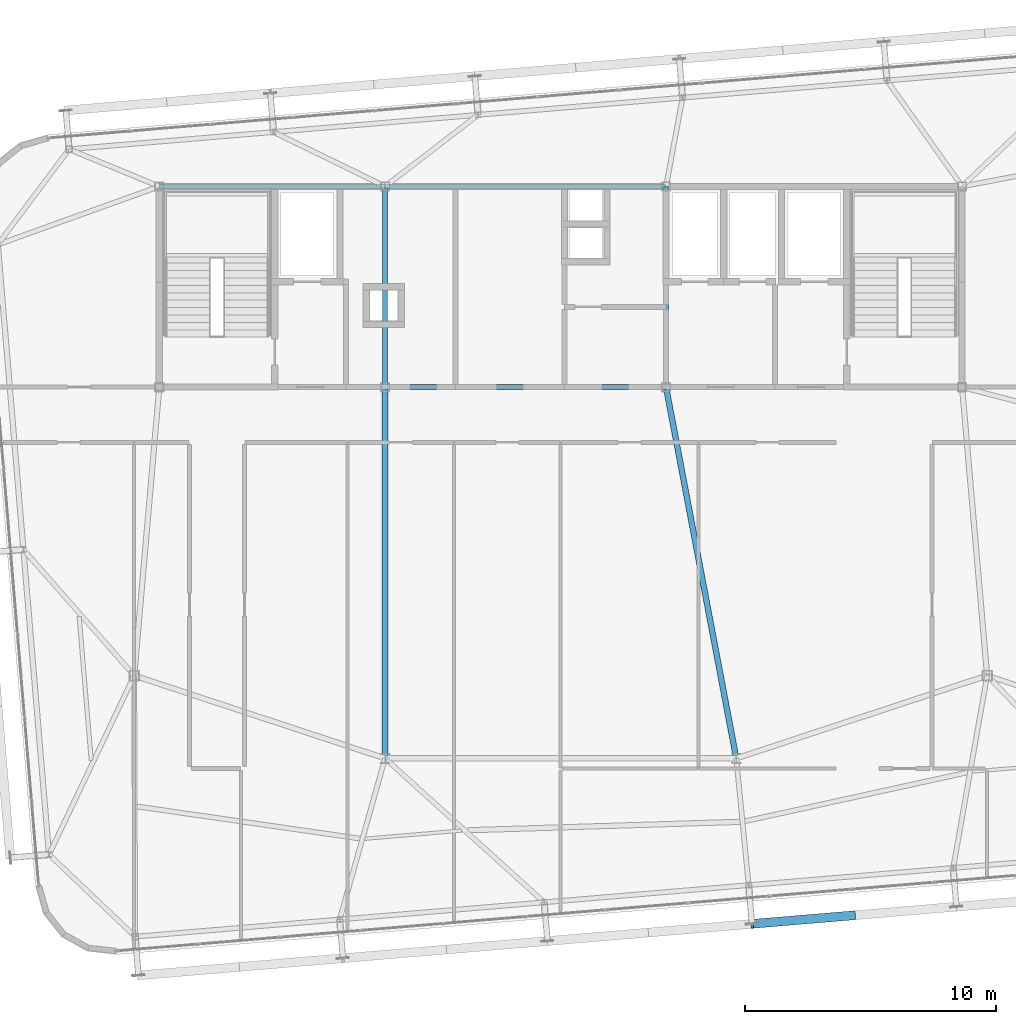
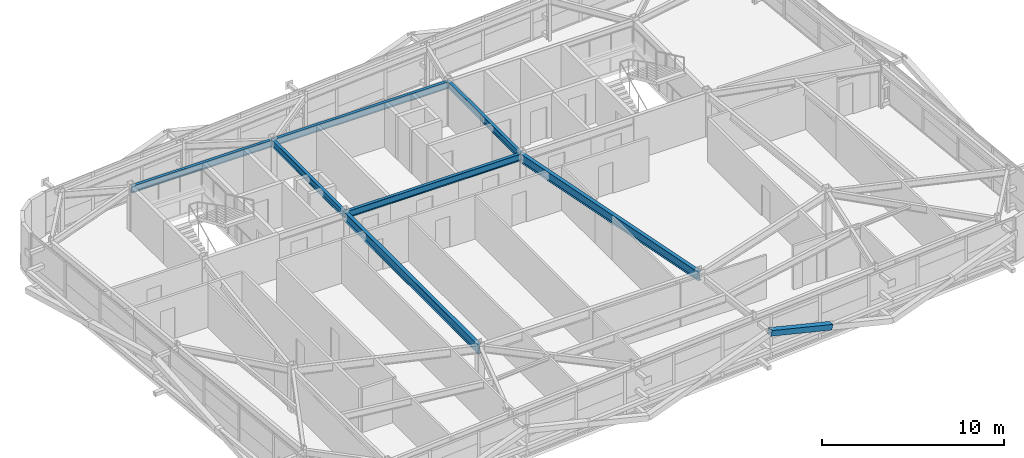
# One storey, part 18 of 44: 7 beams, 1 member.
"""IFC4 building model written with IfcOpenShell, lengths in metres."""

from ifc_helpers import new_model, si_unit, direction, frame, origin, origin_2d, place, context, subcontext, project, spatial, hollow_rectangle, i_section, extrude, source, transform, mapped, material, material_profile, profile_set, type_object, element, save


model = new_model("IFC4")

# Units and contexts
model_context = context("Model", 3, precision=1e-05, world=origin(), true_north=direction((0.0, 1.0)))
body_context = subcontext(model_context, "Body", "Model", "MODEL_VIEW")
ifc_project = project(units=[si_unit("LENGTHUNIT", "METRE"), si_unit("AREAUNIT", "SQUARE_METRE"), si_unit("VOLUMEUNIT", "CUBIC_METRE"), si_unit("PLANEANGLEUNIT", "RADIAN"), si_unit("MASSUNIT", "GRAM", prefix="KILO")], contexts=[model_context])

# Site, building, storey
site_placement = place(None, origin())
site = spatial("IfcSite", under=ifc_project, at=site_placement, CompositionType="ELEMENT")
building_placement = place(site_placement, origin())
building = spatial("IfcBuilding", under=site, at=building_placement, Name="Taldren Reach Tower", CompositionType="ELEMENT")
storey_placement = place(building_placement, frame((0.0, 0.0, 191.449951171875)))
storey = spatial("IfcBuildingStorey", under=building, at=storey_placement, Name="L58", CompositionType="ELEMENT", Elevation=191.449951171875)

# Beams
ifc_material_1 = material(Name="Steel Gr 350 (350PLUS)", Category="steel")
ifc_material_profile_1 = material_profile(ifc_material_1, i_section(OverallWidth=0.19091796875, OverallDepth=0.4599609375, WebThickness=0.010009765625, FlangeThickness=0.01611328125, at=origin_2d()), Name="460UB82.1")
ifc_profile_set_1 = profile_set([ifc_material_profile_1], Name="Steel Gr 350 (350PLUS)")
beam_type_1 = type_object("IfcBeamType", Name="BM-UB460A", PredefinedType="BEAM", material=ifc_profile_set_1)
shared_shape_1 = source(origin(), body_context, "Body", "SweptSolid", [
    extrude(i_section(OverallWidth=0.19091796875, OverallDepth=0.4599609375, WebThickness=0.010009765625, FlangeThickness=0.01611328125, at=origin_2d()), origin(), (0.0, 0.0, 1.0), 9.0),
])
beam_1_placement = place(storey_placement, frame((19.0, 32.0, 2.699951171875), z_axis=(1.0, 0.0, 0.0), x_axis=(0.0, 1.0, 0.0)))
element("IfcBeam", 1, at=beam_1_placement, inside=storey, type_object=beam_type_1, Name="Core-spine girder L58-SP04", PredefinedType="BEAM", context=body_context, shape_type="MappedRepresentation", body=[
    mapped(shared_shape_1, transform((0.0, 0.0, 0.0), scale=1.0)),
])
shared_shape_2 = source(origin(), body_context, "Body", "SweptSolid", [
    extrude(i_section(OverallWidth=0.19091796875, OverallDepth=0.4599609375, WebThickness=0.010009765625, FlangeThickness=0.01611328125, at=origin_2d()), origin(), (0.0, 0.0, 1.0), 11.199951171875),
])
for number, where, z_axis, x_axis, name in (
    (2, (28.0, 24.0, 2.699951171875), (1.0, 0.0, 0.0), (0.0, 1.0, 0.0), "Core-spine girder L58-SP02"),
    (3, (28.0, 32.0, 2.699951171875), (1.0, 0.0, 0.0), (0.0, 1.0, 0.0), "Core-spine girder L58-SP05"),
):
    element("IfcBeam", number, at=place(storey_placement, frame(where, z_axis=z_axis, x_axis=x_axis)), inside=storey, type_object=beam_type_1, Name=name, PredefinedType="BEAM", context=body_context, shape_type="MappedRepresentation", body=[
        mapped(shared_shape_2, transform((0.0, 0.0, 0.0), scale=1.0)),
    ])
shared_shape_3 = source(origin(), body_context, "Body", "SweptSolid", [
    extrude(i_section(OverallWidth=0.19091796875, OverallDepth=0.4599609375, WebThickness=0.010009765625, FlangeThickness=0.01611328125, at=origin_2d()), origin(), (0.0, 0.0, 1.0), 8.0),
])
for number, where, z_axis, x_axis, name in (
    (4, (28.0, 24.0, 2.699951171875), (0.0, 1.0, 0.0), (-1.0, 0.0, 0.0), "Core-spine girder L58-SP07"),
    (5, (39.199951171875, 24.0, 2.699951171875), (0.0, 1.0, 0.0), (-1.0, 0.0, 0.0), "Core-spine girder L58-SP08"),
):
    element("IfcBeam", number, at=place(storey_placement, frame(where, z_axis=z_axis, x_axis=x_axis)), inside=storey, type_object=beam_type_1, Name=name, PredefinedType="BEAM", context=body_context, shape_type="MappedRepresentation", body=[
        mapped(shared_shape_3, transform((0.0, 0.0, 0.0), scale=1.0)),
    ])
ifc_material_profile_2 = material_profile(ifc_material_1, i_section(OverallWidth=0.22802734375, OverallDepth=0.60205078125, WebThickness=0.010498046875, FlangeThickness=0.014892578125, at=origin_2d()), Name="610UB101")
ifc_profile_set_2 = profile_set([ifc_material_profile_2], Name="Steel Gr 350 (350PLUS)")
beam_type_2 = type_object("IfcBeamType", Name="BM-UB610B", PredefinedType="BEAM", material=ifc_profile_set_2)
shared_shape_4 = source(origin(), body_context, "Body", "SweptSolid", [
    extrude(i_section(OverallWidth=0.22802734375, OverallDepth=0.60205078125, WebThickness=0.010498046875, FlangeThickness=0.014892578125, at=origin_2d()), origin(), (0.0, 0.0, 1.0), 14.800048828125),
])
beam_2_placement = place(storey_placement, frame((28.0, 24.0, 2.629150390625), z_axis=(0.0, -1.0, 0.0), x_axis=(1.0, 0.0, 0.0)))
element("IfcBeam", 6, at=beam_2_placement, inside=storey, type_object=beam_type_2, Name="Core-spine girder L58-SP14", PredefinedType="BEAM", context=body_context, shape_type="MappedRepresentation", body=[
    mapped(shared_shape_4, transform((0.0, 0.0, 0.0), scale=1.0)),
])
shared_shape_5 = source(origin(), body_context, "Body", "SweptSolid", [
    extrude(i_section(OverallWidth=0.22802734375, OverallDepth=0.60205078125, WebThickness=0.010498046875, FlangeThickness=0.014892578125, at=origin_2d()), origin(), (0.0, 0.0, 1.0), 15.0625),
])
beam_3_placement = place(storey_placement, frame((39.199951171875, 24.0, 2.629150390625), z_axis=(0.185894205668, -0.982569765614, 0.0), x_axis=(0.982569765614, 0.185894205668, 0.0)))
element("IfcBeam", 7, at=beam_3_placement, inside=storey, type_object=beam_type_2, Name="Core-spine girder L58-SP15", PredefinedType="BEAM", context=body_context, shape_type="MappedRepresentation", body=[
    mapped(shared_shape_5, transform((0.0, 0.0, 0.0), scale=1.0)),
])

# Member
ifc_material_2 = material(Name="Steel Gr 450 (C450L0)", Category="steel")
ifc_material_profile_3 = material_profile(ifc_material_2, hollow_rectangle(XDim=0.360107421875, YDim=0.360107421875, WallThickness=0.0126953125, at=origin_2d()), Name="360x360x12.7SHS")
ifc_profile_set_3 = profile_set([ifc_material_profile_3], Name="Steel Gr 450 (C450L0)")
member_type = type_object("IfcMemberType", Name="MB-EXO356", PredefinedType="BRACE", material=ifc_profile_set_3)
shared_shape_6 = source(origin(), body_context, "Body", "SweptSolid", [
    extrude(hollow_rectangle(XDim=0.360107421875, YDim=0.360107421875, WallThickness=0.0126953125, at=origin_2d()), origin(), (0.0, 0.0, 1.0), 4.2666015625),
])
member_placement = place(storey_placement, frame((46.698974609375, 2.945068359375, 1.43505859375), z_axis=(-0.955233542365, -0.080165460216, 0.28478479336), x_axis=(0.083628388178, -0.996497010879, 0.0)))
element("IfcMember", 8, at=member_placement, inside=storey, type_object=member_type, Name="Exoskeleton Diagrid Brace B4-S4 L58", PredefinedType="BRACE", context=body_context, shape_type="MappedRepresentation", body=[
    mapped(shared_shape_6, transform((0.0, 0.0, 0.0), scale=1.0)),
])

save(model, "model.ifc")
